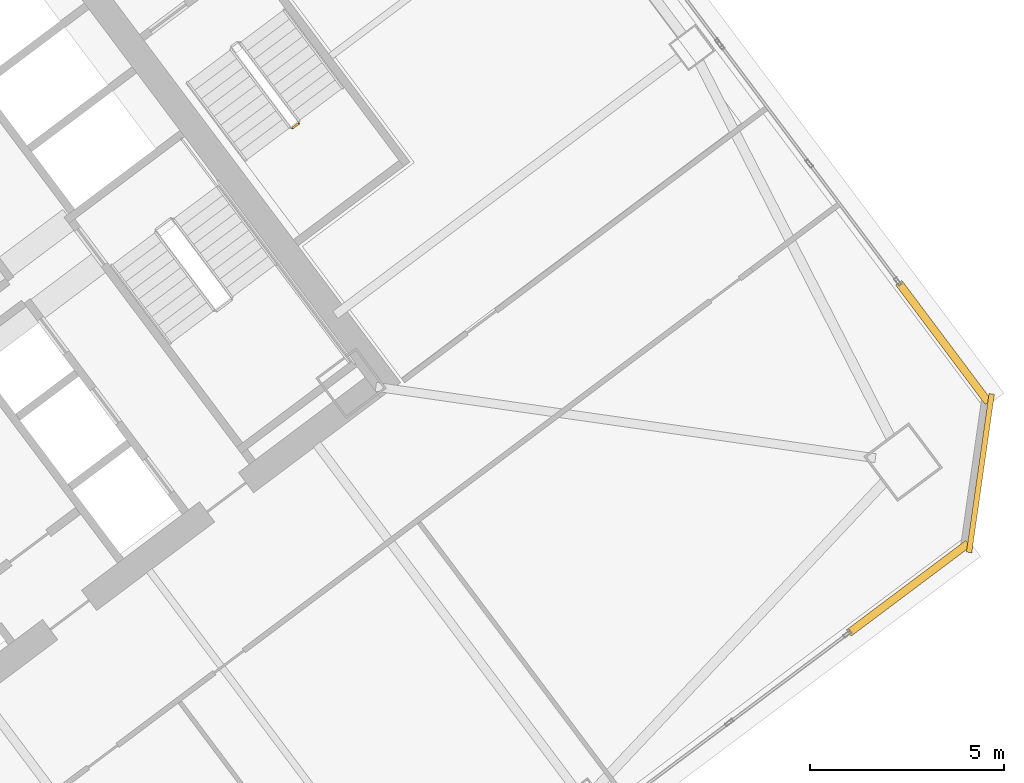
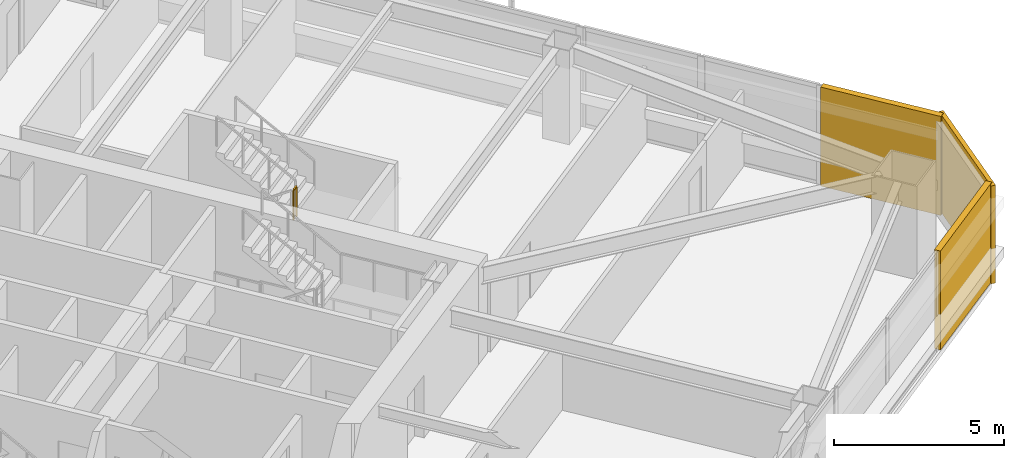
# One storey, part 47 of 49: 3 coverings, 1 railing.
"""IFC4 building model written with IfcOpenShell, lengths in metres."""

from ifc_helpers import new_model, si_unit, direction, frame, origin, origin_2d, place, context, subcontext, project, spatial, rectangle, extrude, material, layer, layer_set, type_object, element, save


model = new_model("IFC4")

# Units and contexts
model_context = context("Model", 3, precision=1e-05, world=origin(), true_north=direction((0.0, 1.0)))
body_context = subcontext(model_context, "Body", "Model", "MODEL_VIEW")
ifc_project = project(units=[si_unit("LENGTHUNIT", "METRE"), si_unit("AREAUNIT", "SQUARE_METRE"), si_unit("VOLUMEUNIT", "CUBIC_METRE"), si_unit("PLANEANGLEUNIT", "RADIAN"), si_unit("MASSUNIT", "GRAM", prefix="KILO")], contexts=[model_context])

# Site, building, storey
site_placement = place(None, origin())
site = spatial("IfcSite", under=ifc_project, at=site_placement, CompositionType="ELEMENT")
building_placement = place(site_placement, origin())
building = spatial("IfcBuilding", under=site, at=building_placement, Name="Tashvorn Skyway Center", CompositionType="ELEMENT")
storey_placement = place(building_placement, frame((0.0, 0.0, 70.75)))
storey = spatial("IfcBuildingStorey", under=building, at=storey_placement, Name="L18", CompositionType="ELEMENT", Elevation=70.75)

# Coverings
ifc_material_1 = material(Name="Precast concrete C40/50", Category="concrete")
ifc_layer_1 = layer(ifc_material_1, 0.199951171875)
ifc_layer_set_1 = layer_set([ifc_layer_1], Name="Precast concrete C40/50")
covering_type_1 = type_object("IfcCoveringType", Name="COV-BRACE-CLAD", PredefinedType="CLADDING", material=ifc_layer_set_1)
for number, where, z_axis, x_axis, name in (
    (1, (138.216064453125, 25.31201171875, 0.0), (0.0, 0.0, 1.0), (-0.799999996291, -0.600000004945, 0.0), "Tower 2 L18 South Unitised Curtain Wall Mega-Brace Cladding Band 1"),
    (2, (139.1201171875, 31.639892578125, 0.0), (0.0, 0.0, 1.0), (0.600000004945, -0.799999996291, 0.0), "Tower 2 L18 East Unitised Curtain Wall Mega-Brace Cladding Band 2"),
):
    element("IfcCovering", number, at=place(storey_placement, frame(where, z_axis=z_axis, x_axis=x_axis)), inside=storey, type_object=covering_type_1, Name=name, PredefinedType="CLADDING", context=body_context, shape_type="SweptSolid", body=[
        extrude(rectangle(XDim=3.840087890625, YDim=0.199951171875, at=origin_2d()), origin(), (0.0, 0.0, 1.0), 3.550048828125),
    ])
ifc_layer_2 = layer(ifc_material_1, 0.35009765625)
ifc_layer_set_2 = layer_set([ifc_layer_2], Name="Precast concrete C40/50")
covering_type_2 = type_object("IfcCoveringType", Name="COV-STONE-TRIM", PredefinedType="CLADDING", material=ifc_layer_set_2)
covering_placement = place(storey_placement, frame((140.068115234375, 28.27587890625, 0.02001953125), z_axis=(0.0, 0.0, 1.0), x_axis=(0.141421350118, 0.989949494535, 0.0)))
element("IfcCovering", 3, at=covering_placement, inside=storey, type_object=covering_type_2, Name="Tower 2 L18 SE Mojave Limestone Corner Quoin", PredefinedType="CLADDING", context=body_context, shape_type="SweptSolid", body=[
    extrude(rectangle(XDim=4.119873046875, YDim=0.139892578125, at=origin_2d()), origin(), (0.0, 0.0, 1.0), 3.510009765625),
])

# Railing
ifc_material_2 = material(Name="Painted galvanized steel S355", Category="steel")
railing_type = type_object("IfcRailingType", Name="RAIL-STGUARD-1100", PredefinedType="GUARDRAIL", material=ifc_material_2)
railing_placement = place(storey_placement, frame((122.35791015625, 37.156005859375, 1.77490234375)))
element("IfcRailing", 4, at=railing_placement, inside=storey, type_object=railing_type, Name="L18 ST-T2-3 stair guard 2", PredefinedType="GUARDRAIL", context=body_context, shape_type="SweptSolid", body=[
    extrude(rectangle(XDim=0.048095703125, YDim=0.048095703125, at=origin_2d()), frame((0.0, 0.0, 1.076171875), z_axis=(0.800585412921, 0.599218655098, 0.0), x_axis=(-0.599218655098, 0.800585412921, 0.0)), (0.0, 0.0, 1.0), 0.199951171875),
    extrude(rectangle(XDim=0.0419921875, YDim=0.0419921875, at=origin_2d()), origin(), (0.0, 0.0, 1.0), 1.052001953125),
    extrude(rectangle(XDim=0.0419921875, YDim=0.0419921875, at=origin_2d()), frame((0.16015625, 0.119873046875, 0.0)), (0.0, 0.0, 1.0), 1.052001953125),
])

save(model, "model.ifc")
